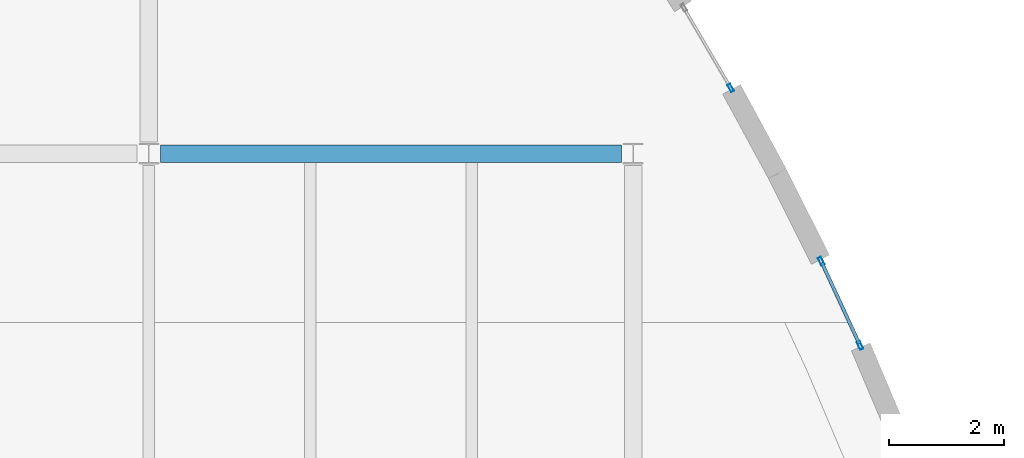
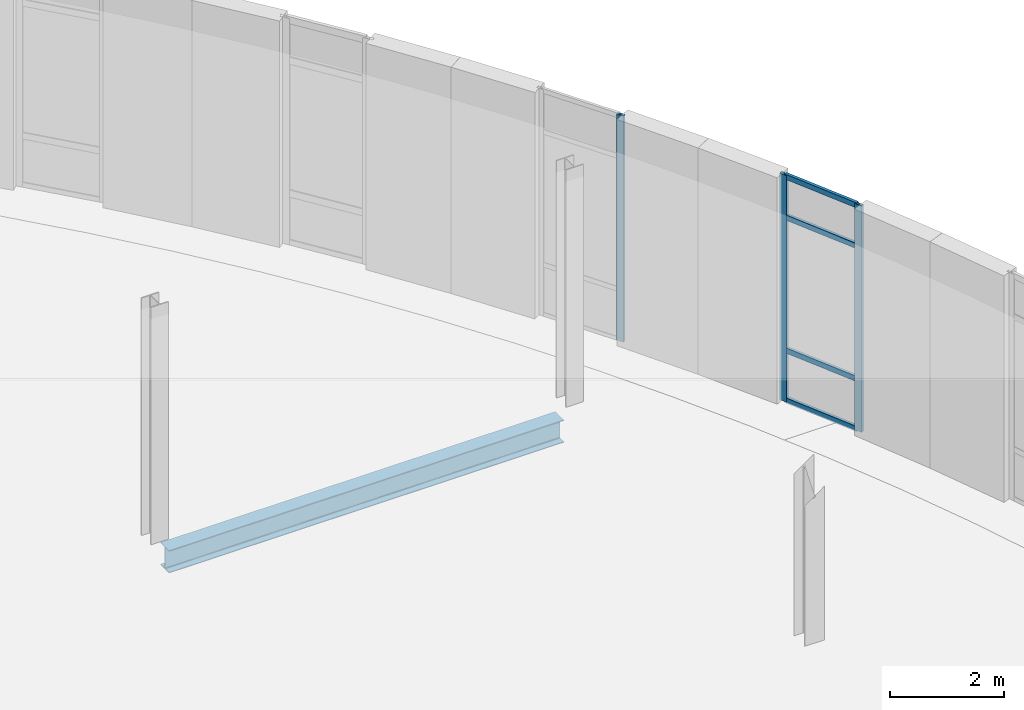
# One storey, part 53 of 104: 7 members, 1 beam, 2 elements without a shape of their own.
"""IFC4 building model written with IfcOpenShell, lengths in metres."""

import ifcopenshell
import ifcopenshell.guid

model = None  # the IFC model being written
_history = None  # IfcOwnerHistory: only IFC2X3 demands one
_inside = {}  # id of a spatial element -> (the spatial element, [elements in it])
_under = {}  # id of a project, library or spatial element -> (it, [spatial elements below it])
_declared = {}  # id of a project -> (the project, [libraries it declares])
_typed = {}  # id of a type object -> (the type object, [elements of that type])
_made_of = {}  # id of a material, layer set ... -> (it, [elements and type objects made of it])


def new_model(schema):
    """Start an empty IFC model of exactly this schema.

    Asked for "IFC4X3", IfcOpenShell would pick the latest addendum, in which some entities
    have other attributes; the version numbers below select the first issue.
    IFC2X3 requires an IfcOwnerHistory on every rooted entity: one is made here for all.
    """
    global model, _history
    if schema == "IFC4X3":
        model = ifcopenshell.file(schema_version=(4, 3, 0, 0))
    else:
        model = ifcopenshell.file(schema=schema)
    _inside.clear()
    _under.clear()
    _declared.clear()
    _typed.clear()
    _made_of.clear()
    _history = None
    if model.schema == "IFC2X3":
        org = make("IfcOrganization", Name="unknown")
        user = make(
            "IfcPersonAndOrganization",
            ThePerson=make("IfcPerson", FamilyName="unknown"),
            TheOrganization=org,
        )
        app = make(
            "IfcApplication",
            ApplicationDeveloper=org,
            Version="unknown",
            ApplicationFullName="unknown",
            ApplicationIdentifier="unknown",
        )
        _history = make(
            "IfcOwnerHistory",
            OwningUser=user,
            OwningApplication=app,
            ChangeAction="ADDED",
            CreationDate=0,
        )
    return model


def make(cls, **values):
    """One entity of the class cls with the attributes given. An attribute that is None is left unset."""
    return model.create_entity(
        cls, **{name: value for name, value in values.items() if value is not None}
    )


def rooted(cls, **values):
    """An entity with a GlobalId (a new one), such as an element, a storey or a relation."""
    return make(cls, GlobalId=ifcopenshell.guid.new(), OwnerHistory=_history, **values)


def si_unit(unit_type, name, prefix=None):
    """IfcSIUnit, for example si_unit("LENGTHUNIT", "METRE", prefix="MILLI")."""
    return make("IfcSIUnit", UnitType=unit_type, Prefix=prefix, Name=name)


def assignment(units):
    """IfcUnitAssignment: the units of a project."""
    return None if units is None else make("IfcUnitAssignment", Units=units)


def point(xyz):
    """IfcCartesianPoint."""
    return None if xyz is None else make("IfcCartesianPoint", Coordinates=xyz)


def direction(xyz):
    """IfcDirection."""
    return None if xyz is None else make("IfcDirection", DirectionRatios=xyz)


def frame(location, z_axis=None, x_axis=None):
    """IfcAxis2Placement3D, a coordinate frame: its origin and axes. An axis left out is left unset."""
    return make(
        "IfcAxis2Placement3D",
        Location=point(location),
        Axis=direction(z_axis),
        RefDirection=direction(x_axis),
    )


def frame_2d(location, x_axis=None):
    """IfcAxis2Placement2D, a coordinate frame in the plane: its origin and x axis."""
    return make(
        "IfcAxis2Placement2D", Location=point(location), RefDirection=direction(x_axis)
    )


def origin():
    """The frame at (0, 0, 0) with its axes left unset."""
    return frame((0.0, 0.0, 0.0))


def origin_2d():
    """The frame at (0, 0) in the plane with its x axis left unset."""
    return frame_2d((0.0, 0.0))


def place(relative_to, where):
    """IfcLocalPlacement: puts the frame where relative to a parent placement (None: the world)."""
    return make(
        "IfcLocalPlacement", PlacementRelTo=relative_to, RelativePlacement=where
    )


def context(
    kind, dimensions, precision=None, world=None, true_north=None, identifier=None
):
    """IfcGeometricRepresentationContext, for example the 3D "Model" context."""
    return make(
        "IfcGeometricRepresentationContext",
        ContextIdentifier=identifier,
        ContextType=kind,
        CoordinateSpaceDimension=dimensions,
        Precision=precision,
        WorldCoordinateSystem=world,
        TrueNorth=true_north,
    )


def subcontext(parent, identifier, kind, view, scale=None):
    """IfcGeometricRepresentationSubContext, for example "Body" below "Model"."""
    return make(
        "IfcGeometricRepresentationSubContext",
        ContextIdentifier=identifier,
        ContextType=kind,
        ParentContext=parent,
        TargetScale=scale,
        TargetView=view,
    )


def project(units=None, contexts=None):
    """IfcProject with its units and contexts."""
    return rooted(
        "IfcProject",
        Name="project",
        RepresentationContexts=contexts,
        UnitsInContext=assignment(units),
    )


def spatial(cls, under=None, at=None, **own):
    """A site, building, storey or space (cls), placed at a placement, below another one or the project."""
    s = rooted(cls, ObjectPlacement=at, **own)
    if under is not None:
        _under.setdefault(under.id(), (under, []))[1].append(s)
    return s


def profile(cls, at=None, kind="AREA", **sizes):
    """A parametric profile (cls). Its sizes go by their IFC names, for example OverallWidth=200.0."""
    return make(cls, ProfileType=kind, Position=at, **sizes)


def hollow_rectangle(**sizes):
    """IfcRectangleHollowProfileDef."""
    return profile("IfcRectangleHollowProfileDef", **sizes)


def i_section(**sizes):
    """IfcIShapeProfileDef."""
    return profile("IfcIShapeProfileDef", **sizes)


def extrude(swept, where, along, depth):
    """IfcExtrudedAreaSolid: the profile swept, set in the frame where, extruded along a direction by depth."""
    return make(
        "IfcExtrudedAreaSolid",
        SweptArea=swept,
        Position=where,
        ExtrudedDirection=direction(along),
        Depth=depth,
    )


def shape(context_of_items, identifier, shape_type, items):
    """IfcShapeRepresentation: the items that make up one representation, for example the "Body"."""
    return make(
        "IfcShapeRepresentation",
        ContextOfItems=context_of_items,
        RepresentationIdentifier=identifier,
        RepresentationType=shape_type,
        Items=items,
    )


def material(Name=None, Category=None):
    """IfcMaterial."""
    return make("IfcMaterial", Name=Name, Category=Category)


def layer(
    of_material, thickness, ventilated=None, Name=None, Category=None, Priority=None
):
    """IfcMaterialLayer: one layer of a wall or slab, of a material (None: an air gap)."""
    return make(
        "IfcMaterialLayer",
        Material=of_material,
        LayerThickness=thickness,
        IsVentilated=ventilated,
        Name=Name,
        Category=Category,
        Priority=Priority,
    )


def layer_set(layers, Name=None):
    """IfcMaterialLayerSet."""
    return make("IfcMaterialLayerSet", MaterialLayers=layers, LayerSetName=Name)


def material_profile(
    of_material, cross_section, Name=None, Category=None, Priority=None
):
    """IfcMaterialProfile: a cross section and its material."""
    return make(
        "IfcMaterialProfile",
        Name=Name,
        Material=of_material,
        Profile=cross_section,
        Priority=Priority,
        Category=Category,
    )


def profile_set(profiles, Name=None, composite=None):
    """IfcMaterialProfileSet."""
    return make(
        "IfcMaterialProfileSet",
        Name=Name,
        MaterialProfiles=profiles,
        CompositeProfile=composite,
    )


def made_of(thing, what):
    """Note that an element or type object is made of a material, layer set ...; save() writes the relation."""
    if what is not None:
        _made_of.setdefault(what.id(), (what, []))[1].append(thing)
    return thing


def type_object(cls, material=None, **own):
    """A type object (cls), such as IfcWallType, which elements share."""
    return made_of(rooted(cls, **own), material)


def element(
    cls,
    number,
    at=None,
    inside=None,
    cuts=None,
    type_object=None,
    material=None,
    context=None,
    identifier="Body",
    shape_type=None,
    held_by="IfcProductDefinitionShape",
    body=None,
    shapes=None,
    **own,
):
    """One element of the class cls, such as IfcWall. Its Tag is "e" and its number.

    at: its placement. inside: the storey or other place that contains it. cuts: it is an
    opening in that element (IfcRelVoidsElement). A single representation is given by context,
    identifier, shape_type and body (its items); several are given by shapes. held_by: the class
    of the entity that holds the representations. save() writes the other relations.
    """
    e = rooted(cls, Tag="e%d" % number, ObjectPlacement=at, **own)
    if body is not None:
        shapes = [shape(context, identifier, shape_type, body)]
    if shapes is not None:
        e.Representation = make(held_by, Representations=shapes)
    if inside is not None:
        _inside.setdefault(inside.id(), (inside, []))[1].append(e)
    if cuts is not None:
        rooted(
            "IfcRelVoidsElement", RelatingBuildingElement=cuts, RelatedOpeningElement=e
        )
    if type_object is not None:
        _typed.setdefault(type_object.id(), (type_object, []))[1].append(e)
    return made_of(e, material)


def aggregate(whole, parts):
    """IfcRelAggregates: a whole, such as a stair, and the parts it consists of."""
    return rooted("IfcRelAggregates", RelatingObject=whole, RelatedObjects=parts)


def save(model, path):
    """Write the relations noted so far, then the file.

    IfcRelAggregates (storeys below a building ...), IfcRelContainedInSpatialStructure (elements
    in a storey), IfcRelDefinesByType, IfcRelAssociatesMaterial and IfcRelDeclares: one each for
    every whole, place, type object, material and project.
    """
    for whole, parts in _under.values():
        aggregate(whole, parts)
    for where, things in _inside.values():
        rooted(
            "IfcRelContainedInSpatialStructure",
            RelatedElements=things,
            RelatingStructure=where,
        )
    for kind, things in _typed.values():
        rooted("IfcRelDefinesByType", RelatedObjects=things, RelatingType=kind)
    for what, things in _made_of.values():
        rooted("IfcRelAssociatesMaterial", RelatedObjects=things, RelatingMaterial=what)
    for by, libraries in _declared.values():
        rooted("IfcRelDeclares", RelatingContext=by, RelatedDefinitions=libraries)
    model.write(path)


model = new_model("IFC4")

# Units and contexts
model_context = context("Model", 3, precision=1e-05, world=origin(), true_north=direction((0.0, 1.0)))
body_context = subcontext(model_context, "Body", "Model", "MODEL_VIEW")
ifc_project = project(units=[si_unit("LENGTHUNIT", "METRE"), si_unit("AREAUNIT", "SQUARE_METRE"), si_unit("VOLUMEUNIT", "CUBIC_METRE"), si_unit("PLANEANGLEUNIT", "RADIAN"), si_unit("MASSUNIT", "GRAM", prefix="KILO"), si_unit("THERMODYNAMICTEMPERATUREUNIT", "KELVIN")], contexts=[model_context])

# Site, building, storey
site_placement = place(None, origin())
site = spatial("IfcSite", under=ifc_project, at=site_placement, CompositionType="ELEMENT")
building_placement = place(site_placement, origin())
building = spatial("IfcBuilding", under=site, at=building_placement, Name="Lustrewick Department Store", CompositionType="ELEMENT")
storey_placement = place(building_placement, frame((0.0, 0.0, 11.39990234375)))
storey = spatial("IfcBuildingStorey", under=building, at=storey_placement, Name="L03", CompositionType="ELEMENT", Elevation=11.39990234375)

# Curtain wall, members
ifc_material_1 = material(Name="Thermally broken aluminium 6063-T5", Category="aluminium")
ifc_layer_1 = layer(ifc_material_1, 0.14990234375, Name="Thermally broken aluminium 6063-T5")
ifc_layer_set_1 = layer_set([ifc_layer_1], Name="Thermally broken aluminium 6063-T5")
curtain_wall_type_1 = type_object("IfcCurtainWallType", Name="CW14", PredefinedType="NOTDEFINED", material=ifc_layer_set_1)
curtain_wall_1_placement = place(storey_placement, origin())
curtain_wall_1 = element("IfcCurtainWall", 1, at=curtain_wall_1_placement, inside=storey, type_object=curtain_wall_type_1, Name="L03 V4 Curtain Wall CW14", PredefinedType="NOTDEFINED")
ifc_material_profile_1 = material_profile(ifc_material_1, hollow_rectangle(XDim=0.06005859375, YDim=0.14990234375, WallThickness=0.00341796875, at=origin_2d()), Name="ALU-M 60x150x3.5")
ifc_profile_set_1 = profile_set([ifc_material_profile_1], Name="Thermally broken aluminium 6063-T5")
member_type_1 = type_object("IfcMemberType", Name="CW14-M1", PredefinedType="MULLION", material=ifc_profile_set_1)
member_1_placement = place(storey_placement, frame((163.536865234375, 80.676025390625, 0.0), z_axis=(0.0, 0.0, 1.0), x_axis=(-0.907810086565, -0.419381504995, 0.0)))
member_1 = element("IfcMember", 2, at=member_1_placement, type_object=member_type_1, Name="CW14 mullion 1", PredefinedType="MULLION", context=body_context, shape_type="SweptSolid", body=[
    extrude(hollow_rectangle(XDim=0.06005859375, YDim=0.14990234375, WallThickness=0.00341796875, at=origin_2d()), origin(), (0.0, 0.0, 1.0), 4.84521484375),
])
member_2_placement = place(storey_placement, frame((162.863037109375, 82.134765625, 0.0), z_axis=(0.0, 0.0, 1.0), x_axis=(-0.907810086565, -0.419381504995, 0.0)))
member_2 = element("IfcMember", 3, at=member_2_placement, type_object=member_type_1, Name="CW14 mullion 2", PredefinedType="MULLION", context=body_context, shape_type="SweptSolid", body=[
    extrude(hollow_rectangle(XDim=0.06005859375, YDim=0.14990234375, WallThickness=0.00341796875, at=origin_2d()), origin(), (0.0, 0.0, 1.0), 4.84521484375),
])
ifc_material_profile_2 = material_profile(ifc_material_1, hollow_rectangle(XDim=0.06005859375, YDim=0.110107421875, WallThickness=0.0029296875, at=origin_2d()), Name="ALU-T 60x110x3")
ifc_profile_set_2 = profile_set([ifc_material_profile_2], Name="Thermally broken aluminium 6063-T5")
member_type_2 = type_object("IfcMemberType", Name="CW14-T1", PredefinedType="USERDEFINED", material=ifc_profile_set_2)
member_3_placement = place(storey_placement, frame((163.5244140625, 80.703125, 0.030029296875), z_axis=(-0.419478465545, 0.907765287365, 0.0), x_axis=(-0.907765287365, -0.419478465545, 0.0)))
member_3 = element("IfcMember", 4, at=member_3_placement, type_object=member_type_2, Name="CW14 transom 1.1", ObjectType="TRANSOM", PredefinedType="USERDEFINED", context=body_context, shape_type="SweptSolid", body=[
    extrude(hollow_rectangle(XDim=0.06005859375, YDim=0.110107421875, WallThickness=0.0029296875, at=origin_2d()), origin(), (0.0, 0.0, 1.0), 1.546875),
])
member_4_placement = place(storey_placement, frame((163.5244140625, 80.703125, 1.10009765625), z_axis=(-0.419478465545, 0.907765287365, 0.0), x_axis=(-0.907765287365, -0.419478465545, 0.0)))
member_4 = element("IfcMember", 5, at=member_4_placement, type_object=member_type_2, Name="CW14 transom 1.2", ObjectType="TRANSOM", PredefinedType="USERDEFINED", context=body_context, shape_type="SweptSolid", body=[
    extrude(hollow_rectangle(XDim=0.06005859375, YDim=0.110107421875, WallThickness=0.0029296875, at=origin_2d()), origin(), (0.0, 0.0, 1.0), 1.546875),
])
member_5_placement = place(storey_placement, frame((163.5244140625, 80.703125, 3.945068359375), z_axis=(-0.419478465545, 0.907765287365, 0.0), x_axis=(-0.907765287365, -0.419478465545, 0.0)))
member_5 = element("IfcMember", 6, at=member_5_placement, type_object=member_type_2, Name="CW14 transom 1.3", ObjectType="TRANSOM", PredefinedType="USERDEFINED", context=body_context, shape_type="SweptSolid", body=[
    extrude(hollow_rectangle(XDim=0.06005859375, YDim=0.110107421875, WallThickness=0.0029296875, at=origin_2d()), origin(), (0.0, 0.0, 1.0), 1.546875),
])
member_6_placement = place(storey_placement, frame((163.5244140625, 80.703125, 4.815185546875), z_axis=(-0.419478465545, 0.907765287365, 0.0), x_axis=(-0.907765287365, -0.419478465545, 0.0)))
member_6 = element("IfcMember", 7, at=member_6_placement, type_object=member_type_2, Name="CW14 transom 1.4", ObjectType="TRANSOM", PredefinedType="USERDEFINED", context=body_context, shape_type="SweptSolid", body=[
    extrude(hollow_rectangle(XDim=0.06005859375, YDim=0.110107421875, WallThickness=0.0029296875, at=origin_2d()), origin(), (0.0, 0.0, 1.0), 1.546875),
])
aggregate(curtain_wall_1, [member_1, member_2, member_3, member_4, member_5, member_6])

# Curtain wall, member
ifc_layer_2 = layer(ifc_material_1, 0.139892578125, Name="Thermally broken aluminium 6063-T5")
ifc_layer_set_2 = layer_set([ifc_layer_2], Name="Thermally broken aluminium 6063-T5")
curtain_wall_type_2 = type_object("IfcCurtainWallType", Name="CW15", PredefinedType="NOTDEFINED", material=ifc_layer_set_2)
curtain_wall_2_placement = place(storey_placement, origin())
curtain_wall_2 = element("IfcCurtainWall", 8, at=curtain_wall_2_placement, inside=storey, type_object=curtain_wall_type_2, Name="L03 V4 Curtain Wall CW15", PredefinedType="NOTDEFINED")
ifc_material_profile_3 = material_profile(ifc_material_1, hollow_rectangle(XDim=0.054931640625, YDim=0.139892578125, WallThickness=0.00341796875, at=origin_2d()), Name="ALU-M 55x140x3.5")
ifc_profile_set_3 = profile_set([ifc_material_profile_3], Name="Thermally broken aluminium 6063-T5")
member_type_3 = type_object("IfcMemberType", Name="CW15-M1", PredefinedType="MULLION", material=ifc_profile_set_3)
member_7_placement = place(storey_placement, frame((161.294677734375, 85.14111328125, 0.0), z_axis=(0.0, 0.0, 1.0), x_axis=(-0.86332815827, -0.504642934299, 0.0)))
member_7 = element("IfcMember", 9, at=member_7_placement, type_object=member_type_3, Name="CW15 mullion 1", PredefinedType="MULLION", context=body_context, shape_type="SweptSolid", body=[
    extrude(hollow_rectangle(XDim=0.054931640625, YDim=0.139892578125, WallThickness=0.00341796875, at=origin_2d()), origin(), (0.0, 0.0, 1.0), 4.84521484375),
])
aggregate(curtain_wall_2, [member_7])

# Beam
ifc_material_2 = material(Name="Structural steel Q355B", Category="steel")
ifc_material_profile_4 = material_profile(ifc_material_2, i_section(OverallWidth=0.300048828125, OverallDepth=0.48193359375, WebThickness=0.010986328125, FlangeThickness=0.014892578125, FilletRadius=0.02197265625, at=origin_2d()), Name="HM 482x300x11x15")
ifc_profile_set_4 = profile_set([ifc_material_profile_4], Name="Structural steel Q355B")
beam_type = type_object("IfcBeamType", Name="G20", PredefinedType="BEAM", material=ifc_profile_set_4)
beam_placement = place(storey_placement, frame((151.402587890625, 84.0, -0.495849609375), z_axis=(1.0, 0.0, 0.0), x_axis=(0.0, 1.0, 0.0)))
element("IfcBeam", 10, at=beam_placement, inside=storey, type_object=beam_type, Name="L03 V4 Girder G20", PredefinedType="BEAM", context=body_context, shape_type="SweptSolid", body=[
    extrude(i_section(OverallWidth=0.300048828125, OverallDepth=0.48193359375, WebThickness=0.010986328125, FlangeThickness=0.014892578125, FilletRadius=0.02197265625, at=origin_2d()), origin(), (0.0, 0.0, 1.0), 7.994873046875),
])

save(model, "model.ifc")
